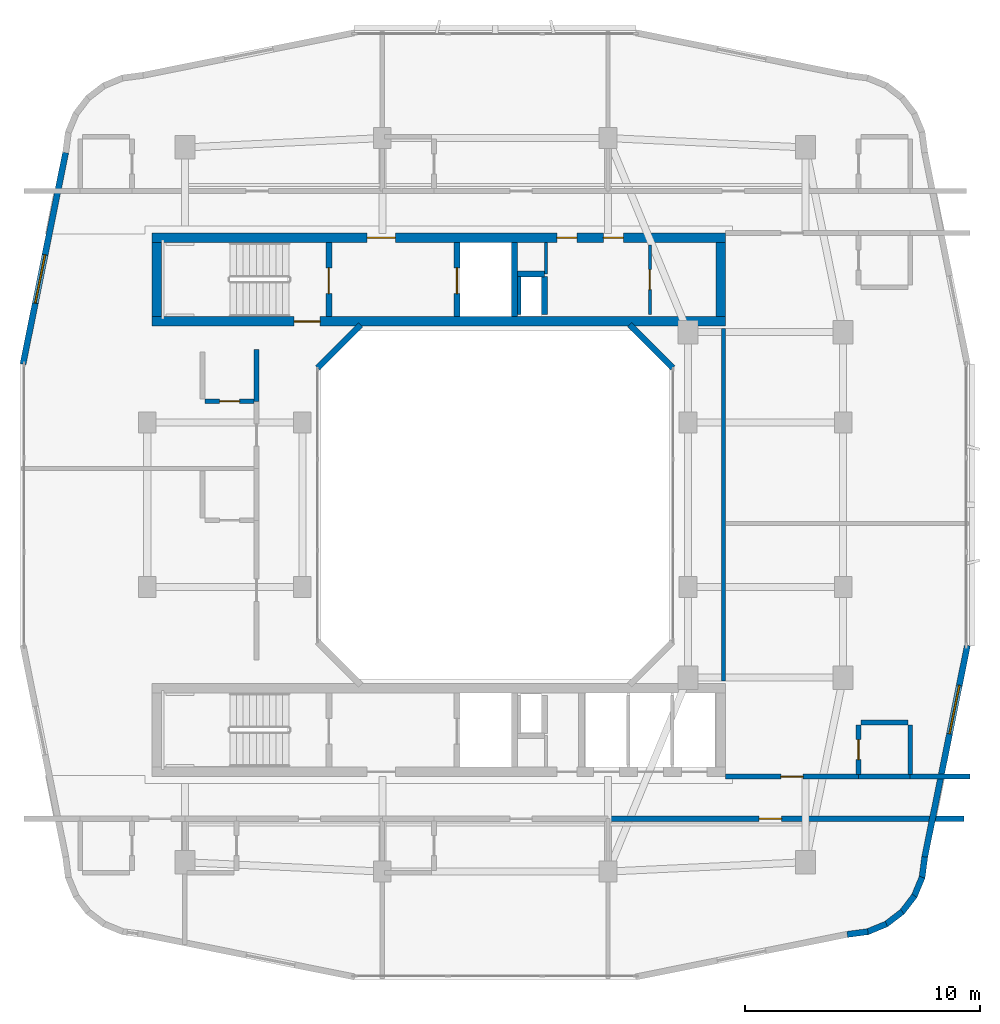
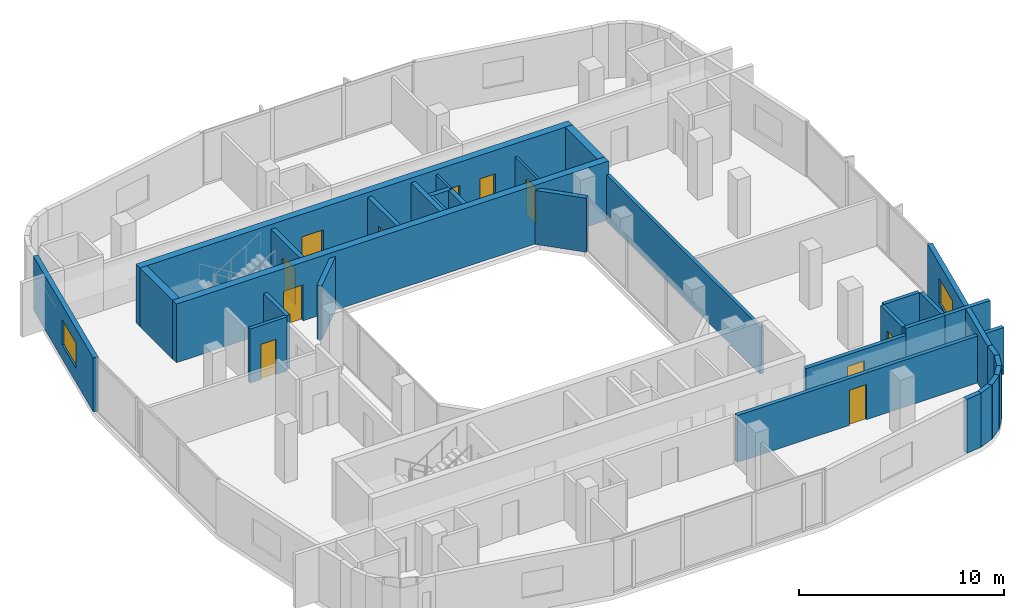
# One storey, part 8 of 14: 32 walls, 11 doors, 2 windows, 13 openings.
"""IFC4 building model written with IfcOpenShell, lengths in metres."""

from ifc_helpers import new_model, si_unit, derived_unit, direction, frame, frame_2d, origin, place, context, subcontext, project, spatial, rectangle, extrude, material, layer, layer_set, type_object, element, fill, save


model = new_model("IFC4")

# Units and contexts
model_context = context("Model", 3, precision=1e-05, world=origin(), true_north=direction((0.0, 1.0)))
body_context = subcontext(model_context, "Body", "Model", "MODEL_VIEW")
ifc_project = project(units=[si_unit("LENGTHUNIT", "METRE"), si_unit("AREAUNIT", "SQUARE_METRE"), si_unit("VOLUMEUNIT", "CUBIC_METRE"), si_unit("PLANEANGLEUNIT", "RADIAN"), si_unit("MASSUNIT", "GRAM", prefix="KILO"), derived_unit("THERMALTRANSMITTANCEUNIT", [(si_unit("POWERUNIT", "WATT"), 1), (si_unit("LENGTHUNIT", "METRE"), -2), (si_unit("THERMODYNAMICTEMPERATUREUNIT", "KELVIN"), -1)])], contexts=[model_context])

# Site, building, storey
site_placement = place(None, origin())
site = spatial("IfcSite", under=ifc_project, at=site_placement, CompositionType="ELEMENT")
building_placement = place(site_placement, origin())
building = spatial("IfcBuilding", under=site, at=building_placement, Name="Kivonza Crest Hotel", CompositionType="ELEMENT")
storey_placement = place(building_placement, frame((0.0, 0.0, 148.5)))
storey = spatial("IfcBuildingStorey", under=building, at=storey_placement, Name="L40", CompositionType="ELEMENT", Elevation=148.5)

# Wall
ifc_material_1 = material(Name="High-density acoustic masonry inter-tenancy wall", Category="masonry")
ifc_layer_1 = layer(ifc_material_1, 0.179931640625)
ifc_layer_set_1 = layer_set([ifc_layer_1], Name="High-density acoustic masonry inter-tenancy wall")
wall_type_1 = type_object("IfcWallType", Name="WL-ACOU-180", PredefinedType="SOLIDWALL", material=ifc_layer_set_1)
wall_1_placement = place(storey_placement, frame((30.7099609375, 17.5, 0.0), z_axis=(0.0, 0.0, 1.0), x_axis=(0.0, 1.0, 0.0)))
element("IfcWall", 1, at=wall_1_placement, inside=storey, type_object=wall_type_1, Name="L40 interior partition WA-L40-T1EC-W", PredefinedType="SOLIDWALL", context=body_context, shape_type="SweptSolid", body=[
    extrude(rectangle(XDim=15.0, YDim=0.179931640625, at=frame_2d((7.5, 0.0))), origin(), (0.0, 0.0, 1.0), 2.794921875),
])

# Wall, opening, door
ifc_material_2 = material(Name="Autoclaved aerated concrete blockwork", Category="masonry")
ifc_layer_2 = layer(ifc_material_2, 0.219970703125)
ifc_layer_set_2 = layer_set([ifc_layer_2], Name="Autoclaved aerated concrete blockwork")
wall_type_2 = type_object("IfcWallType", Name="WL-ACOU-220", PredefinedType="SOLIDWALL", material=ifc_layer_set_2)
wall_2_placement = place(storey_placement, frame((25.89990234375, 11.64990234375, 0.0), z_axis=(0.0, 0.0, 1.0), x_axis=(1.0, 0.0, 0.0)))
wall_2 = element("IfcWall", 2, at=wall_2_placement, inside=storey, type_object=wall_type_2, Name="L40 interior partition WA-L40-BUS-MTG-N", PredefinedType="SOLIDWALL", context=body_context, shape_type="SweptSolid", body=[
    extrude(rectangle(XDim=15.0400390625, YDim=0.219970703125, at=frame_2d((7.52001953125, 0.0))), origin(), (0.0, 0.0, 1.0), 2.794921875),
])
opening_1_placement = place(wall_2_placement, frame((6.330078125, 0.0, 0.0)))
opening_1 = element("IfcOpeningElement", 3, at=opening_1_placement, cuts=wall_2, Name="Opening DF-60S", PredefinedType="OPENING", context=body_context, shape_type="SweptSolid", body=[
    extrude(rectangle(XDim=0.949951171875, YDim=2.10009765625, at=frame_2d((0.47509765625, 1.050048828125))), frame((0.0, 0.1201171875, 0.0), z_axis=(0.0, -1.0, 0.0), x_axis=(1.0, 0.0, 0.0)), (0.0, 0.0, 1.0), 0.239990234375),
])
ifc_material_3 = material(Name="Hardwood timber oak", Category="wood")
door_type_1 = type_object("IfcDoorType", Name="DR-FD60-950", OperationType="NOTDEFINED", PredefinedType="DOOR", material=ifc_material_3)
door_1_placement = place(opening_1_placement, frame((0.949951171875, 0.0, 0.0), z_axis=(0.0, 0.0, 1.0), x_axis=(-1.0, 0.0, 0.0)))
door_1 = element("IfcDoor", 4, at=door_1_placement, inside=storey, type_object=door_type_1, Name="L40 Guest Business Office door", OperationType="SINGLE_SWING_RIGHT", OverallHeight=2.10009765625, OverallWidth=0.949951171875, PredefinedType="DOOR", context=body_context, shape_type="SweptSolid", body=[
    extrude(rectangle(XDim=0.949951171875, YDim=2.10009765625, at=frame_2d((0.47509765625, 1.050048828125))), frame((0.0, 0.02490234375, 0.0), z_axis=(0.0, -1.0, 0.0), x_axis=(1.0, 0.0, 0.0)), (0.0, 0.0, 1.0), 0.050048828125),
])
fill(opening_1, door_1)

# Walls
wall_3_placement = place(storey_placement, frame((10.85009765625, 29.39990234375, 0.0), z_axis=(0.0, 0.0, 1.0), x_axis=(0.0, 1.0, 0.0)))
element("IfcWall", 5, at=wall_3_placement, inside=storey, type_object=wall_type_2, Name="L40 interior partition WA-L40-W08-BCORR", PredefinedType="SOLIDWALL", context=body_context, shape_type="SweptSolid", body=[
    extrude(rectangle(XDim=2.2001953125, YDim=0.219970703125, at=frame_2d((1.10009765625, 0.0))), origin(), (0.0, 0.0, 1.0), 3.219970703125),
])
wall_4_placement = place(storey_placement, frame((38.64990234375, 13.43994140625, 0.0), z_axis=(0.0, 0.0, 1.0), x_axis=(1.0, 0.0, 0.0)))
element("IfcWall", 6, at=wall_4_placement, inside=storey, type_object=wall_type_2, Name="L40 interior partition WA-L40-ES09-XCORR", PredefinedType="SOLIDWALL", context=body_context, shape_type="SweptSolid", body=[
    extrude(rectangle(XDim=2.550048828125, YDim=0.219970703125, at=frame_2d((1.27490234375, 0.0))), origin(), (0.0, 0.0, 1.0), 3.219970703125),
])
wall_5_placement = place(storey_placement, frame((36.449951171875, 13.43994140625, 0.0), z_axis=(0.0, 0.0, 1.0), x_axis=(1.0, 0.0, 0.0)))
element("IfcWall", 7, at=wall_5_placement, inside=storey, type_object=wall_type_2, Name="L40 interior partition WA-L40-ES09-BCORR", PredefinedType="SOLIDWALL", context=body_context, shape_type="SweptSolid", body=[
    extrude(rectangle(XDim=2.199951171875, YDim=0.219970703125, at=frame_2d((1.10009765625, 0.0))), origin(), (0.0, 0.0, 1.0), 3.219970703125),
])

# Wall, opening, door
wall_6_placement = place(storey_placement, frame((30.800048828125, 13.43994140625, 0.0), z_axis=(0.0, 0.0, 1.0), x_axis=(1.0, 0.0, 0.0)))
wall_6 = element("IfcWall", 8, at=wall_6_placement, inside=storey, type_object=wall_type_2, Name="L40 interior partition WA-L40-ES09-MCORR", PredefinedType="SOLIDWALL", context=body_context, shape_type="SweptSolid", body=[
    extrude(rectangle(XDim=5.64990234375, YDim=0.219970703125, at=frame_2d((2.824951171875, 0.0))), origin(), (0.0, 0.0, 1.0), 2.794921875),
])
opening_2_placement = place(wall_6_placement, frame((2.35009765625, 0.0, 0.0)))
opening_2 = element("IfcOpeningElement", 9, at=opening_2_placement, cuts=wall_6, Name="Opening DU-60", PredefinedType="OPENING", context=body_context, shape_type="SweptSolid", body=[
    extrude(rectangle(XDim=0.949951171875, YDim=2.10009765625, at=frame_2d((0.47509765625, 1.050048828125))), frame((0.0, 0.1201171875, 0.0), z_axis=(0.0, -1.0, 0.0), x_axis=(1.0, 0.0, 0.0)), (0.0, 0.0, 1.0), 0.239990234375),
])
door_type_2 = type_object("IfcDoorType", Name="DR-UNIT-950", OperationType="NOTDEFINED", PredefinedType="DOOR", material=ifc_material_3)
door_2_placement = place(opening_2_placement, origin())
door_2 = element("IfcDoor", 10, at=door_2_placement, inside=storey, type_object=door_type_2, Name="L40 ES09 guest unit entrance fire door", OperationType="SINGLE_SWING_RIGHT", OverallHeight=2.10009765625, OverallWidth=0.949951171875, PredefinedType="DOOR", context=body_context, shape_type="SweptSolid", body=[
    extrude(rectangle(XDim=0.949951171875, YDim=2.10009765625, at=frame_2d((0.47509765625, 1.050048828125))), frame((0.0, 0.02490234375, 0.0), z_axis=(0.0, -1.0, 0.0), x_axis=(1.0, 0.0, 0.0)), (0.0, 0.0, 1.0), 0.050048828125),
])
fill(opening_2, door_2)

ifc_material_4 = material(Name="Concrete C50/60", Category="concrete")
ifc_layer_3 = layer(ifc_material_4, 0.39990234375)
ifc_layer_set_3 = layer_set([ifc_layer_3], Name="Concrete C50/60")
wall_type_3 = type_object("IfcWallType", Name="WL-CORE-400", PredefinedType="SHEAR", material=ifc_layer_set_3)
wall_7_placement = place(storey_placement, frame((6.39990234375, 32.800048828125, 0.0), z_axis=(0.0, 0.0, 1.0), x_axis=(1.0, 0.0, 0.0)))
wall_7 = element("IfcWall", 11, at=wall_7_placement, inside=storey, type_object=wall_type_3, Name="Core wall T1-N South L40", PredefinedType="SHEAR", context=body_context, shape_type="SweptSolid", body=[
    extrude(rectangle(XDim=24.400146484375, YDim=0.39990234375, at=frame_2d((12.2001953125, 0.0))), origin(), (0.0, 0.0, 1.0), 3.5),
])
opening_3_placement = place(wall_7_placement, frame((6.050048828125, 0.0, 0.0)))
opening_3 = element("IfcOpeningElement", 12, at=opening_3_placement, cuts=wall_7, Name="Opening DF-120", PredefinedType="OPENING", context=body_context, shape_type="SweptSolid", body=[
    extrude(rectangle(XDim=1.10009765625, YDim=2.14990234375, at=frame_2d((0.550048828125, 1.074951171875))), frame((0.0, 0.2099609375, 0.0), z_axis=(0.0, -1.0, 0.0), x_axis=(1.0, 0.0, 0.0)), (0.0, 0.0, 1.0), 0.419921875),
])
ifc_material_5 = material(Name="Galvanised steel", Category="steel")
door_type_3 = type_object("IfcDoorType", Name="DR-FD120-1100", OperationType="NOTDEFINED", PredefinedType="DOOR", material=ifc_material_5)
door_3_placement = place(opening_3_placement, origin())
door_3 = element("IfcDoor", 13, at=door_3_placement, inside=storey, type_object=door_type_3, Name="L40 West corridor stair access fire door", OperationType="SINGLE_SWING_LEFT", OverallHeight=2.14990234375, OverallWidth=1.10009765625, PredefinedType="DOOR", context=body_context, shape_type="SweptSolid", body=[
    extrude(rectangle(XDim=1.10009765625, YDim=2.14990234375, at=frame_2d((0.550048828125, 1.074951171875))), frame((0.0, 0.02490234375, 0.0), z_axis=(0.0, -1.0, 0.0), x_axis=(1.0, 0.0, 0.0)), (0.0, 0.0, 1.0), 0.050048828125),
])
fill(opening_3, door_3)

# Wall, openings, doors
wall_8_placement = place(storey_placement, frame((6.39990234375, 36.360107421875, 0.0), z_axis=(0.0, 0.0, 1.0), x_axis=(1.0, 0.0, 0.0)))
wall_8 = element("IfcWall", 14, at=wall_8_placement, inside=storey, type_object=wall_type_3, Name="Core wall T1-N North L40", PredefinedType="SHEAR", context=body_context, shape_type="SweptSolid", body=[
    extrude(rectangle(XDim=24.400146484375, YDim=0.39990234375, at=frame_2d((12.2001953125, 0.0))), origin(), (0.0, 0.0, 1.0), 3.5),
])
opening_4_placement = place(wall_8_placement, frame((9.14990234375, 0.0, 0.0)))
opening_4 = element("IfcOpeningElement", 15, at=opening_4_placement, cuts=wall_8, Name="Opening DF-60", PredefinedType="OPENING", context=body_context, shape_type="SweptSolid", body=[
    extrude(rectangle(XDim=1.199951171875, YDim=2.14990234375, at=frame_2d((0.60009765625, 1.074951171875))), frame((0.0, 0.2099609375, 0.0), z_axis=(0.0, -1.0, 0.0), x_axis=(1.0, 0.0, 0.0)), (0.0, 0.0, 1.0), 0.419921875),
])
opening_5_placement = place(wall_8_placement, frame((19.199951171875, 0.0, 0.0)))
opening_5 = element("IfcOpeningElement", 16, at=opening_5_placement, cuts=wall_8, Name="Opening DF-60R", PredefinedType="OPENING", context=body_context, shape_type="SweptSolid", body=[
    extrude(rectangle(XDim=0.85009765625, YDim=2.10009765625, at=frame_2d((0.425048828125, 1.050048828125))), frame((0.0, 0.2099609375, 0.0), z_axis=(0.0, -1.0, 0.0), x_axis=(1.0, 0.0, 0.0)), (0.0, 0.0, 1.0), 0.419921875),
])
opening_6_placement = place(wall_8_placement, frame((17.219970703125, 0.0, 0.0)))
opening_6 = element("IfcOpeningElement", 17, at=opening_6_placement, cuts=wall_8, Name="Opening DF-60R", PredefinedType="OPENING", context=body_context, shape_type="SweptSolid", body=[
    extrude(rectangle(XDim=0.85009765625, YDim=2.10009765625, at=frame_2d((0.425048828125, 1.050048828125))), frame((0.0, 0.2099609375, 0.0), z_axis=(0.0, -1.0, 0.0), x_axis=(1.0, 0.0, 0.0)), (0.0, 0.0, 1.0), 0.419921875),
])
door_type_4 = type_object("IfcDoorType", Name="DR-FD60-1200", OperationType="NOTDEFINED", PredefinedType="DOOR", material=ifc_material_3)
door_4_placement = place(opening_4_placement, origin())
door_4 = element("IfcDoor", 18, at=door_4_placement, inside=storey, type_object=door_type_4, Name="L40 T1-N firefighting lobby fire door", OperationType="SINGLE_SWING_RIGHT", OverallHeight=2.14990234375, OverallWidth=1.199951171875, PredefinedType="DOOR", context=body_context, shape_type="SweptSolid", body=[
    extrude(rectangle(XDim=1.199951171875, YDim=2.14990234375, at=frame_2d((0.60009765625, 1.074951171875))), frame((0.0, 0.02490234375, 0.0), z_axis=(0.0, -1.0, 0.0), x_axis=(1.0, 0.0, 0.0)), (0.0, 0.0, 1.0), 0.050048828125),
])
fill(opening_4, door_4)
door_type_5 = type_object("IfcDoorType", Name="DR-FD60-850", OperationType="NOTDEFINED", PredefinedType="DOOR", material=ifc_material_3)
door_5_placement = place(opening_5_placement, origin())
door_5 = element("IfcDoor", 19, at=door_5_placement, inside=storey, type_object=door_type_5, Name="L40 T1-N reclaimed core service door", OperationType="SINGLE_SWING_LEFT", OverallHeight=2.10009765625, OverallWidth=0.85009765625, PredefinedType="DOOR", context=body_context, shape_type="SweptSolid", body=[
    extrude(rectangle(XDim=0.85009765625, YDim=2.10009765625, at=frame_2d((0.425048828125, 1.050048828125))), frame((0.0, 0.02490234375, 0.0), z_axis=(0.0, -1.0, 0.0), x_axis=(1.0, 0.0, 0.0)), (0.0, 0.0, 1.0), 0.050048828125),
])
fill(opening_5, door_5)
door_6_placement = place(opening_6_placement, origin())
door_6 = element("IfcDoor", 20, at=door_6_placement, inside=storey, type_object=door_type_5, Name="L40 T1-N core room door", OperationType="SINGLE_SWING_RIGHT", OverallHeight=2.10009765625, OverallWidth=0.85009765625, PredefinedType="DOOR", context=body_context, shape_type="SweptSolid", body=[
    extrude(rectangle(XDim=0.85009765625, YDim=2.10009765625, at=frame_2d((0.425048828125, 1.050048828125))), frame((0.0, 0.02490234375, 0.0), z_axis=(0.0, -1.0, 0.0), x_axis=(1.0, 0.0, 0.0)), (0.0, 0.0, 1.0), 0.050048828125),
])
fill(opening_6, door_6)

# Walls
for number, where, z_axis, x_axis, name in (
    (21, (6.60009765625, 33.0, 0.0), (0.0, 0.0, 1.0), (0.0, 1.0, 0.0), "Core wall T1-N West L40"),
    (22, (30.60009765625, 33.0, 0.0), (0.0, 0.0, 1.0), (0.0, 1.0, 0.0), "Core wall T1-N East L40"),
):
    element("IfcWall", number, at=place(storey_placement, frame(where, z_axis=z_axis, x_axis=x_axis)), inside=storey, type_object=wall_type_3, Name=name, PredefinedType="SHEAR", context=body_context, shape_type="SweptSolid", body=[
        extrude(rectangle(XDim=3.159912109375, YDim=0.39990234375, at=frame_2d((1.580078125, 0.0))), origin(), (0.0, 0.0, 1.0), 3.5),
    ])
ifc_material_6 = material(Name="Precast concrete C40/50", Category="concrete")
ifc_layer_4 = layer(ifc_material_6, 0.260009765625)
ifc_layer_set_4 = layer_set([ifc_layer_4], Name="Precast concrete C40/50")
wall_type_4 = type_object("IfcWallType", Name="WL-EXT-260", PredefinedType="STANDARD", material=ifc_layer_set_4)
wall_9_placement = place(storey_placement, frame((35.97509765625, 6.72802734375, 0.0), z_axis=(0.0, 0.0, 1.0), x_axis=(0.991388484223, 0.130953706898, 0.0)))
element("IfcWall", 23, at=wall_9_placement, inside=storey, type_object=wall_type_4, Name="L40 T1 exterior insulated wall 10", PredefinedType="STANDARD", context=body_context, shape_type="SweptSolid", body=[
    extrude(rectangle(XDim=0.885498046875, YDim=0.260009765625, at=frame_2d((0.44287109375, 0.0))), origin(), (0.0, 0.0, 1.0), 3.219970703125),
])
wall_10_placement = place(storey_placement, frame((36.806884765625, 6.825927734375, 0.0), z_axis=(0.0, 0.0, 1.0), x_axis=(0.923627776508, 0.383290660547, 0.0)))
element("IfcWall", 24, at=wall_10_placement, inside=storey, type_object=wall_type_4, Name="L40 T1 exterior insulated wall 11", PredefinedType="STANDARD", context=body_context, shape_type="SweptSolid", body=[
    extrude(rectangle(XDim=0.9033203125, YDim=0.260009765625, at=frame_2d((0.45166015625, 0.0))), origin(), (0.0, 0.0, 1.0), 3.219970703125),
])
wall_11_placement = place(storey_placement, frame((37.60107421875, 7.14404296875, 0.0), z_axis=(0.0, 0.0, 1.0), x_axis=(0.793458244748, 0.608624690463, 0.0)))
element("IfcWall", 25, at=wall_11_placement, inside=storey, type_object=wall_type_4, Name="L40 T1 exterior insulated wall 12", PredefinedType="STANDARD", context=body_context, shape_type="SweptSolid", body=[
    extrude(rectangle(XDim=0.902099609375, YDim=0.260009765625, at=frame_2d((0.451171875, 0.0))), origin(), (0.0, 0.0, 1.0), 3.219970703125),
])
wall_12_placement = place(storey_placement, frame((38.285888671875, 7.655029296875, 0.0), z_axis=(0.0, 0.0, 1.0), x_axis=(0.608494022858, 0.793558456666, 0.0)))
element("IfcWall", 26, at=wall_12_placement, inside=storey, type_object=wall_type_4, Name="L40 T1 exterior insulated wall 13", PredefinedType="STANDARD", context=body_context, shape_type="SweptSolid", body=[
    extrude(rectangle(XDim=0.90234375, YDim=0.260009765625, at=frame_2d((0.451171875, 0.0))), origin(), (0.0, 0.0, 1.0), 3.219970703125),
])
wall_13_placement = place(storey_placement, frame((38.81396484375, 8.326904296875, 0.0), z_axis=(0.0, 0.0, 1.0), x_axis=(0.383155708213, 0.923683767999, 0.0)))
element("IfcWall", 27, at=wall_13_placement, inside=storey, type_object=wall_type_4, Name="L40 T1 exterior insulated wall 14", PredefinedType="STANDARD", context=body_context, shape_type="SweptSolid", body=[
    extrude(rectangle(XDim=0.90283203125, YDim=0.260009765625, at=frame_2d((0.451416015625, 0.0))), origin(), (0.0, 0.0, 1.0), 3.219970703125),
])
wall_14_placement = place(storey_placement, frame((39.152099609375, 9.112060546875, 0.0), z_axis=(0.0, 0.0, 1.0), x_axis=(0.130200706103, 0.991487658083, 0.0)))
element("IfcWall", 28, at=wall_14_placement, inside=storey, type_object=wall_type_4, Name="L40 T1 exterior insulated wall 15", PredefinedType="STANDARD", context=body_context, shape_type="SweptSolid", body=[
    extrude(rectangle(XDim=0.920654296875, YDim=0.260009765625, at=frame_2d((0.46044921875, 0.0))), origin(), (0.0, 0.0, 1.0), 3.219970703125),
])

# Wall, opening, window
wall_15_placement = place(storey_placement, frame((39.27099609375, 10.01806640625, 0.0), z_axis=(0.0, 0.0, 1.0), x_axis=(0.197435082048, 0.980315963543, 0.0)))
wall_15 = element("IfcWall", 29, at=wall_15_placement, inside=storey, type_object=wall_type_4, Name="L40 T1 exterior insulated wall 16", PredefinedType="STANDARD", context=body_context, shape_type="SweptSolid", body=[
    extrude(rectangle(XDim=9.1826171875, YDim=0.260009765625, at=frame_2d((4.59130859375, 0.0))), origin(), (0.0, 0.0, 1.0), 3.219970703125),
])
opening_7_placement = place(wall_15_placement, frame((5.34912109375, 0.0, 0.85009765625)))
opening_7 = element("IfcOpeningElement", 30, at=opening_7_placement, cuts=wall_15, Name="Opening WN-04", PredefinedType="OPENING", context=body_context, shape_type="SweptSolid", body=[
    extrude(rectangle(XDim=2.10009765625, YDim=1.5, at=frame_2d((1.050048828125, 0.75))), frame((0.0, 0.14013671875, 0.0), z_axis=(0.0, -1.0, 0.0), x_axis=(1.0, 0.0, 0.0)), (0.0, 0.0, 1.0), 0.280029296875),
])
ifc_material_7 = material(Name="Thermally broken bronze aluminium and low-E double glazing", Category="aluminium")
window_type = type_object("IfcWindowType", Name="WN-210x150", PartitioningType="DOUBLE_PANEL_VERTICAL", PredefinedType="WINDOW", material=ifc_material_7)
window_1_placement = place(opening_7_placement, origin())
window_1 = element("IfcWindow", 31, at=window_1_placement, inside=storey, type_object=window_type, Name="L40 T1 facade window 16", OverallHeight=1.5, OverallWidth=2.10009765625, PartitioningType="SINGLE_PANEL", PredefinedType="WINDOW", context=body_context, shape_type="SweptSolid", body=[
    extrude(rectangle(XDim=2.10009765625, YDim=1.5, at=frame_2d((1.050048828125, 0.75))), frame((0.0, 0.030029296875, 0.0), z_axis=(0.0, -1.0, 0.0), x_axis=(1.0, 0.0, 0.0)), (0.0, 0.0, 1.0), 0.06005859375),
])
fill(opening_7, window_1)

wall_16_placement = place(storey_placement, frame((2.72900390625, 39.98193359375, 0.0), z_axis=(0.0, 0.0, 1.0), x_axis=(-0.197435082048, -0.980315963543, 0.0)))
wall_16 = element("IfcWall", 32, at=wall_16_placement, inside=storey, type_object=wall_type_4, Name="L40 T1 exterior insulated wall 34", PredefinedType="STANDARD", context=body_context, shape_type="SweptSolid", body=[
    extrude(rectangle(XDim=9.1826171875, YDim=0.260009765625, at=frame_2d((4.59130859375, 0.0))), origin(), (0.0, 0.0, 1.0), 3.219970703125),
])
opening_8_placement = place(wall_16_placement, frame((4.43603515625, 0.0, 0.85009765625)))
opening_8 = element("IfcOpeningElement", 33, at=opening_8_placement, cuts=wall_16, Name="Opening WN-04", PredefinedType="OPENING", context=body_context, shape_type="SweptSolid", body=[
    extrude(rectangle(XDim=2.10009765625, YDim=1.5, at=frame_2d((1.050048828125, 0.75))), frame((0.0, 0.14013671875, 0.0), z_axis=(0.0, -1.0, 0.0), x_axis=(1.0, 0.0, 0.0)), (0.0, 0.0, 1.0), 0.280029296875),
])
window_2_placement = place(opening_8_placement, origin())
window_2 = element("IfcWindow", 34, at=window_2_placement, inside=storey, type_object=window_type, Name="L40 T1 facade window 34", OverallHeight=1.5, OverallWidth=2.10009765625, PartitioningType="SINGLE_PANEL", PredefinedType="WINDOW", context=body_context, shape_type="SweptSolid", body=[
    extrude(rectangle(XDim=2.10009765625, YDim=1.5, at=frame_2d((1.050048828125, 0.75))), frame((0.0, 0.030029296875, 0.0), z_axis=(0.0, -1.0, 0.0), x_axis=(1.0, 0.0, 0.0)), (0.0, 0.0, 1.0), 0.06005859375),
])
fill(opening_8, window_2)

# Walls
for number, where, z_axis, x_axis, name in (
    (35, (28.555908203125, 30.827880859375, 0.0), (0.0, 0.0, 1.0), (-0.707059717605, 0.707153841636, 0.0), "L40 T1 light-well exterior wall 4"),
    (36, (15.278076171875, 32.662109375, 0.0), (0.0, 0.0, 1.0), (-0.707059717605, -0.707153841636, 0.0), "L40 T1 light-well exterior wall 6"),
):
    element("IfcWall", number, at=place(storey_placement, frame(where, z_axis=z_axis, x_axis=x_axis)), inside=storey, type_object=wall_type_4, Name=name, PredefinedType="STANDARD", context=body_context, shape_type="SweptSolid", body=[
        extrude(rectangle(XDim=2.59375, YDim=0.260009765625, at=frame_2d((1.296875, 0.0))), origin(), (0.0, 0.0, 1.0), 3.219970703125),
    ])
ifc_material_8 = material(Name="Concrete blockwork fire-compartment wall", Category="masonry")
ifc_layer_5 = layer(ifc_material_8, 0.25)
ifc_layer_set_5 = layer_set([ifc_layer_5], Name="Concrete blockwork fire-compartment wall")
wall_type_5 = type_object("IfcWallType", Name="WL-FIRE-250", PredefinedType="SOLIDWALL", material=ifc_layer_set_5)
wall_17_placement = place(storey_placement, frame((23.10009765625, 33.10009765625, 0.0), z_axis=(0.0, 0.0, 1.0), x_axis=(0.0, 1.0, 0.0)))
element("IfcWall", 37, at=wall_17_placement, inside=storey, type_object=wall_type_5, Name="L40 interior partition WA-L40-T1-N-MEPR-E", PredefinedType="SOLIDWALL", context=body_context, shape_type="SweptSolid", body=[
    extrude(rectangle(XDim=1.619873046875, YDim=0.25, at=frame_2d((0.81005859375, 0.0))), origin(), (0.0, 0.0, 1.0), 3.219970703125),
])
wall_18_placement = place(storey_placement, frame((21.949951171875, 34.820068359375, 0.0), z_axis=(0.0, 0.0, 1.0), x_axis=(1.0, 0.0, 0.0)))
element("IfcWall", 38, at=wall_18_placement, inside=storey, type_object=wall_type_5, Name="L40 interior partition WA-L40-T1-N-MEPR-H", PredefinedType="SOLIDWALL", context=body_context, shape_type="SweptSolid", body=[
    extrude(rectangle(XDim=1.150146484375, YDim=0.25, at=frame_2d((0.5751953125, 0.0))), origin(), (0.0, 0.0, 1.0), 3.219970703125),
])

# Wall, opening, door
ifc_material_9 = material(Name="Metal-stud gypsum board partition", Category="gypsum")
ifc_layer_6 = layer(ifc_material_9, 0.125)
ifc_layer_set_6 = layer_set([ifc_layer_6], Name="Metal-stud gypsum board partition")
wall_type_6 = type_object("IfcWallType", Name="WL-PART-125", PredefinedType="PARTITIONING", material=ifc_layer_set_6)
wall_19_placement = place(storey_placement, frame((27.580078125, 33.10009765625, 0.0), z_axis=(0.0, 0.0, 1.0), x_axis=(0.0, 1.0, 0.0)))
wall_19 = element("IfcWall", 39, at=wall_19_placement, inside=storey, type_object=wall_type_6, Name="L40 interior partition WP-L40-T1-N-RECL", PredefinedType="PARTITIONING", context=body_context, shape_type="SweptSolid", body=[
    extrude(rectangle(XDim=2.9599609375, YDim=0.125, at=frame_2d((1.47998046875, 0.0))), origin(), (0.0, 0.0, 1.0), 2.794921875),
])
opening_9_placement = place(wall_19_placement, frame((1.054931640625, 0.0, 0.0)))
opening_9 = element("IfcOpeningElement", 40, at=opening_9_placement, cuts=wall_19, Name="Opening DI-85", PredefinedType="OPENING", context=body_context, shape_type="SweptSolid", body=[
    extrude(rectangle(XDim=0.85009765625, YDim=2.10009765625, at=frame_2d((0.425048828125, 1.050048828125))), frame((0.0, 0.072509765625, 0.0), z_axis=(0.0, -1.0, 0.0), x_axis=(1.0, 0.0, 0.0)), (0.0, 0.0, 1.0), 0.14501953125),
])
door_type_6 = type_object("IfcDoorType", Name="DR-INT-850", OperationType="NOTDEFINED", PredefinedType="DOOR", material=ifc_material_3)
door_7_placement = place(opening_9_placement, origin())
door_7 = element("IfcDoor", 41, at=door_7_placement, inside=storey, type_object=door_type_6, Name="L40 T1-N reclaimed inner pantry door", OperationType="SINGLE_SWING_LEFT", OverallHeight=2.10009765625, OverallWidth=0.85009765625, PredefinedType="DOOR", context=body_context, shape_type="SweptSolid", body=[
    extrude(rectangle(XDim=0.85009765625, YDim=2.10009765625, at=frame_2d((0.425048828125, 1.050048828125))), frame((0.0, 0.02490234375, 0.0), z_axis=(0.0, -1.0, 0.0), x_axis=(1.0, 0.0, 0.0)), (0.0, 0.0, 1.0), 0.050048828125),
])
fill(opening_9, door_7)

# Walls
wall_20_placement = place(storey_placement, frame((23.159912109375, 34.820068359375, 0.0), z_axis=(0.0, 0.0, 1.0), x_axis=(0.0, 1.0, 0.0)))
element("IfcWall", 42, at=wall_20_placement, inside=storey, type_object=wall_type_6, Name="L40 interior partition WP-L40-T1-N-SV1V", PredefinedType="PARTITIONING", context=body_context, shape_type="SweptSolid", body=[
    extrude(rectangle(XDim=1.33984375, YDim=0.125, at=frame_2d((0.669921875, 0.0))), origin(), (0.0, 0.0, 1.0), 3.219970703125),
])
ifc_material_10 = material(Name="Twin-stud acoustic gypsum board partition", Category="gypsum")
ifc_layer_7 = layer(ifc_material_10, 0.14990234375)
ifc_layer_set_7 = layer_set([ifc_layer_7], Name="Twin-stud acoustic gypsum board partition")
wall_type_7 = type_object("IfcWallType", Name="WL-PART-150", PredefinedType="PARTITIONING", material=ifc_layer_set_7)
wall_21_placement = place(storey_placement, frame((22.030029296875, 33.10009765625, 0.0), z_axis=(0.0, 0.0, 1.0), x_axis=(0.0, 1.0, 0.0)))
element("IfcWall", 43, at=wall_21_placement, inside=storey, type_object=wall_type_7, Name="L40 interior partition WA-L40-T1-N-MEPR-W", PredefinedType="PARTITIONING", context=body_context, shape_type="SweptSolid", body=[
    extrude(rectangle(XDim=1.619873046875, YDim=0.14990234375, at=frame_2d((0.81005859375, 0.0))), origin(), (0.0, 0.0, 1.0), 3.219970703125),
])

# Wall, opening, door
ifc_material_11 = material(Name="Moisture-resistant plumbing chase partition wall", Category="gypsum")
ifc_layer_8 = layer(ifc_material_11, 0.199951171875)
ifc_layer_set_8 = layer_set([ifc_layer_8], Name="Moisture-resistant plumbing chase partition wall")
wall_type_8 = type_object("IfcWallType", Name="WL-PLUMB-200", PredefinedType="PLUMBINGWALL", material=ifc_layer_set_8)
wall_22_placement = place(storey_placement, frame((8.64990234375, 29.39990234375, 0.0), z_axis=(0.0, 0.0, 1.0), x_axis=(1.0, 0.0, 0.0)))
wall_22 = element("IfcWall", 44, at=wall_22_placement, inside=storey, type_object=wall_type_8, Name="L40 interior partition WW-L40-W08-BH", PredefinedType="PLUMBINGWALL", context=body_context, shape_type="SweptSolid", body=[
    extrude(rectangle(XDim=2.10009765625, YDim=0.199951171875, at=frame_2d((1.050048828125, 0.0))), origin(), (0.0, 0.0, 1.0), 3.219970703125),
])
opening_10_placement = place(wall_22_placement, frame((0.625, 0.0, 0.0)))
opening_10 = element("IfcOpeningElement", 45, at=opening_10_placement, cuts=wall_22, Name="Opening DI-85", PredefinedType="OPENING", context=body_context, shape_type="SweptSolid", body=[
    extrude(rectangle(XDim=0.85009765625, YDim=2.10009765625, at=frame_2d((0.425048828125, 1.050048828125))), frame((0.0, 0.10986328125, 0.0), z_axis=(0.0, -1.0, 0.0), x_axis=(1.0, 0.0, 0.0)), (0.0, 0.0, 1.0), 0.219970703125),
])
door_8_placement = place(opening_10_placement, frame((0.85009765625, 0.0, 0.0), z_axis=(0.0, 0.0, 1.0), x_axis=(-1.0, 0.0, 0.0)))
door_8 = element("IfcDoor", 46, at=door_8_placement, inside=storey, type_object=door_type_6, Name="L40 W08 en-suite bathroom door", OperationType="SINGLE_SWING_LEFT", OverallHeight=2.10009765625, OverallWidth=0.85009765625, PredefinedType="DOOR", context=body_context, shape_type="SweptSolid", body=[
    extrude(rectangle(XDim=0.85009765625, YDim=2.10009765625, at=frame_2d((0.425048828125, 1.050048828125))), frame((0.0, 0.02490234375, 0.0), z_axis=(0.0, -1.0, 0.0), x_axis=(1.0, 0.0, 0.0)), (0.0, 0.0, 1.0), 0.050048828125),
])
fill(opening_10, door_8)

wall_23_placement = place(storey_placement, frame((36.449951171875, 13.5400390625, 0.0), z_axis=(0.0, 0.0, 1.0), x_axis=(0.0, 1.0, 0.0)))
wall_23 = element("IfcWall", 47, at=wall_23_placement, inside=storey, type_object=wall_type_8, Name="L40 interior partition WW-L40-ES09-BV", PredefinedType="PLUMBINGWALL", context=body_context, shape_type="SweptSolid", body=[
    extrude(rectangle(XDim=2.099853515625, YDim=0.199951171875, at=frame_2d((1.0498046875, 0.0))), origin(), (0.0, 0.0, 1.0), 3.219970703125),
])
opening_11_placement = place(wall_23_placement, frame((0.625, 0.0, 0.0)))
opening_11 = element("IfcOpeningElement", 48, at=opening_11_placement, cuts=wall_23, Name="Opening DI-85", PredefinedType="OPENING", context=body_context, shape_type="SweptSolid", body=[
    extrude(rectangle(XDim=0.85009765625, YDim=2.10009765625, at=frame_2d((0.425048828125, 1.050048828125))), frame((0.0, 0.10986328125, 0.0), z_axis=(0.0, -1.0, 0.0), x_axis=(1.0, 0.0, 0.0)), (0.0, 0.0, 1.0), 0.219970703125),
])
door_9_placement = place(opening_11_placement, origin())
door_9 = element("IfcDoor", 49, at=door_9_placement, inside=storey, type_object=door_type_6, Name="L40 ES09 en-suite bathroom door", OperationType="SINGLE_SWING_LEFT", OverallHeight=2.10009765625, OverallWidth=0.85009765625, PredefinedType="DOOR", context=body_context, shape_type="SweptSolid", body=[
    extrude(rectangle(XDim=0.85009765625, YDim=2.10009765625, at=frame_2d((0.425048828125, 1.050048828125))), frame((0.0, 0.02490234375, 0.0), z_axis=(0.0, -1.0, 0.0), x_axis=(1.0, 0.0, 0.0)), (0.0, 0.0, 1.0), 0.050048828125),
])
fill(opening_11, door_9)

# Walls
wall_24_placement = place(storey_placement, frame((36.550048828125, 15.739990234375, 0.0), z_axis=(0.0, 0.0, 1.0), x_axis=(1.0, 0.0, 0.0)))
element("IfcWall", 50, at=wall_24_placement, inside=storey, type_object=wall_type_8, Name="L40 interior partition WW-L40-ES09-BH", PredefinedType="PLUMBINGWALL", context=body_context, shape_type="SweptSolid", body=[
    extrude(rectangle(XDim=2.0, YDim=0.199951171875, at=frame_2d((1.0, 0.0))), origin(), (0.0, 0.0, 1.0), 3.219970703125),
])
wall_25_placement = place(storey_placement, frame((38.64990234375, 13.5400390625, 0.0), z_axis=(0.0, 0.0, 1.0), x_axis=(0.0, 1.0, 0.0)))
element("IfcWall", 51, at=wall_25_placement, inside=storey, type_object=wall_type_8, Name="L40 interior partition WW-L40-ES09-BVE", PredefinedType="PLUMBINGWALL", context=body_context, shape_type="SweptSolid", body=[
    extrude(rectangle(XDim=2.099853515625, YDim=0.199951171875, at=frame_2d((1.0498046875, 0.0))), origin(), (0.0, 0.0, 1.0), 3.219970703125),
])

# Wall, opening, door
ifc_layer_9 = layer(ifc_material_4, 0.25)
ifc_layer_set_9 = layer_set([ifc_layer_9], Name="Concrete C50/60")
wall_type_9 = type_object("IfcWallType", Name="WL-SHAFT-250", PredefinedType="STANDARD", material=ifc_layer_set_9)
wall_26_placement = place(storey_placement, frame((13.925048828125, 33.0, 0.0), z_axis=(0.0, 0.0, 1.0), x_axis=(0.0, 1.0, 0.0)))
wall_26 = element("IfcWall", 52, at=wall_26_placement, inside=storey, type_object=wall_type_9, Name="Core shaft wall T1-N STAIR L40", PredefinedType="STANDARD", context=body_context, shape_type="SweptSolid", body=[
    extrude(rectangle(XDim=3.159912109375, YDim=0.25, at=frame_2d((1.580078125, 0.0))), origin(), (0.0, 0.0, 1.0), 3.219970703125),
])
opening_12_placement = place(wall_26_placement, frame((0.97998046875, 0.0, 0.0)))
opening_12 = element("IfcOpeningElement", 53, at=opening_12_placement, cuts=wall_26, Name="Opening DF-120", PredefinedType="OPENING", context=body_context, shape_type="SweptSolid", body=[
    extrude(rectangle(XDim=1.10009765625, YDim=2.14990234375, at=frame_2d((0.550048828125, 1.074951171875))), frame((0.0, 0.135009765625, 0.0), z_axis=(0.0, -1.0, 0.0), x_axis=(1.0, 0.0, 0.0)), (0.0, 0.0, 1.0), 0.27001953125),
])
door_10_placement = place(opening_12_placement, frame((1.10009765625, 0.0, 0.0), z_axis=(0.0, 0.0, 1.0), x_axis=(-1.0, 0.0, 0.0)))
door_10 = element("IfcDoor", 54, at=door_10_placement, inside=storey, type_object=door_type_3, Name="L40 T1-N stair fire door", OperationType="SINGLE_SWING_LEFT", OverallHeight=2.14990234375, OverallWidth=1.10009765625, PredefinedType="DOOR", context=body_context, shape_type="SweptSolid", body=[
    extrude(rectangle(XDim=1.10009765625, YDim=2.14990234375, at=frame_2d((0.550048828125, 1.074951171875))), frame((0.0, 0.02490234375, 0.0), z_axis=(0.0, -1.0, 0.0), x_axis=(1.0, 0.0, 0.0)), (0.0, 0.0, 1.0), 0.050048828125),
])
fill(opening_12, door_10)

wall_27_placement = place(storey_placement, frame((19.375, 33.0, 0.0), z_axis=(0.0, 0.0, 1.0), x_axis=(0.0, 1.0, 0.0)))
wall_27 = element("IfcWall", 55, at=wall_27_placement, inside=storey, type_object=wall_type_9, Name="Core shaft wall T1-N FFL-W L40", PredefinedType="STANDARD", context=body_context, shape_type="SweptSolid", body=[
    extrude(rectangle(XDim=3.159912109375, YDim=0.25, at=frame_2d((1.580078125, 0.0))), origin(), (0.0, 0.0, 1.0), 3.219970703125),
])
opening_13_placement = place(wall_27_placement, frame((0.97998046875, 0.0, 0.0)))
opening_13 = element("IfcOpeningElement", 56, at=opening_13_placement, cuts=wall_27, Name="Opening LD-120", PredefinedType="OPENING", context=body_context, shape_type="SweptSolid", body=[
    extrude(rectangle(XDim=1.10009765625, YDim=2.14990234375, at=frame_2d((0.550048828125, 1.074951171875))), frame((0.0, 0.135009765625, 0.0), z_axis=(0.0, -1.0, 0.0), x_axis=(1.0, 0.0, 0.0)), (0.0, 0.0, 1.0), 0.27001953125),
])
ifc_material_12 = material(Name="Stainless steel", Category="steel")
door_type_7 = type_object("IfcDoorType", Name="DR-LD120-1100", OperationType="NOTDEFINED", PredefinedType="DOOR", material=ifc_material_12)
door_11_placement = place(opening_13_placement, origin())
door_11 = element("IfcDoor", 57, at=door_11_placement, inside=storey, type_object=door_type_7, Name="L40 FFL-T1-N firefighting lift sliding landing door", OperationType="DOUBLE_DOOR_SLIDING", OverallHeight=2.14990234375, OverallWidth=1.10009765625, PredefinedType="DOOR", context=body_context, shape_type="SweptSolid", body=[
    extrude(rectangle(XDim=1.10009765625, YDim=2.14990234375, at=frame_2d((0.550048828125, 1.074951171875))), frame((0.0, 0.02490234375, 0.0), z_axis=(0.0, -1.0, 0.0), x_axis=(1.0, 0.0, 0.0)), (0.0, 0.0, 1.0), 0.050048828125),
])
fill(opening_13, door_11)

# Wall
wall_28_placement = place(storey_placement, frame((21.824951171875, 33.0, 0.0), z_axis=(0.0, 0.0, 1.0), x_axis=(0.0, 1.0, 0.0)))
element("IfcWall", 58, at=wall_28_placement, inside=storey, type_object=wall_type_9, Name="Core shaft wall T1-N FFL-E L40", PredefinedType="STANDARD", context=body_context, shape_type="SweptSolid", body=[
    extrude(rectangle(XDim=3.159912109375, YDim=0.25, at=frame_2d((1.580078125, 0.0))), origin(), (0.0, 0.0, 1.0), 3.219970703125),
])

save(model, "model.ifc")
